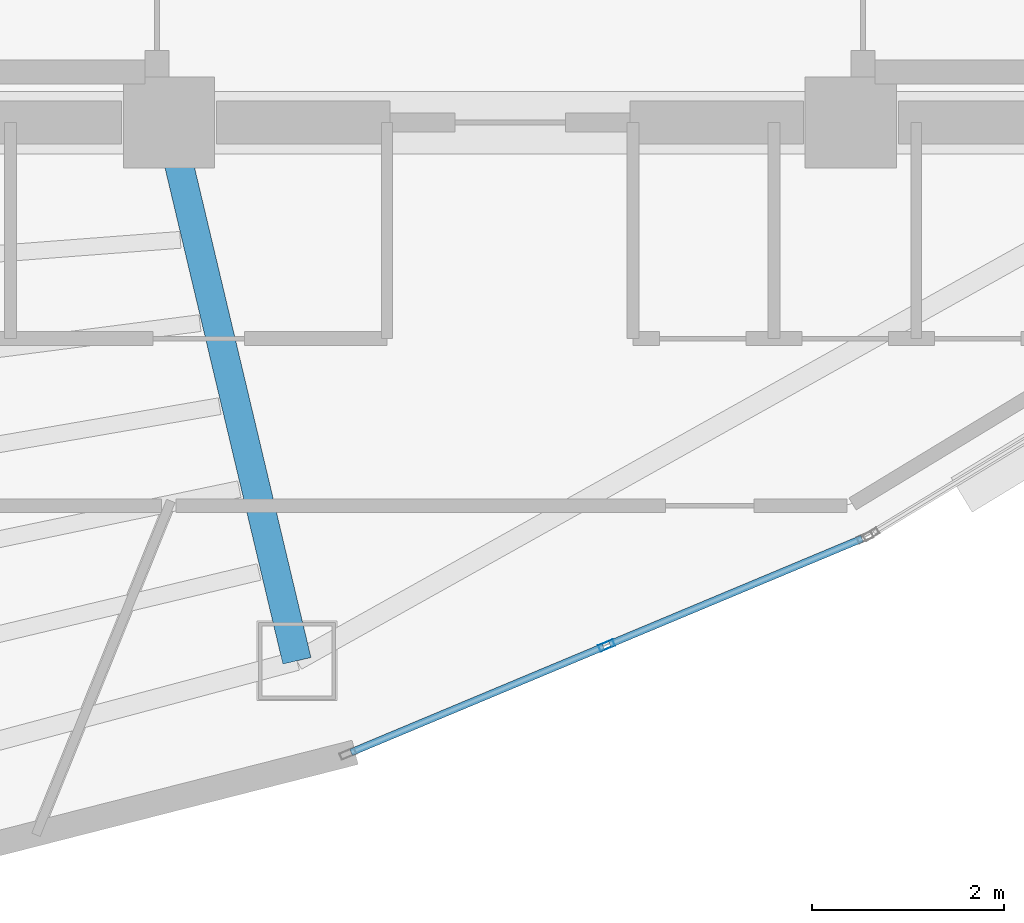
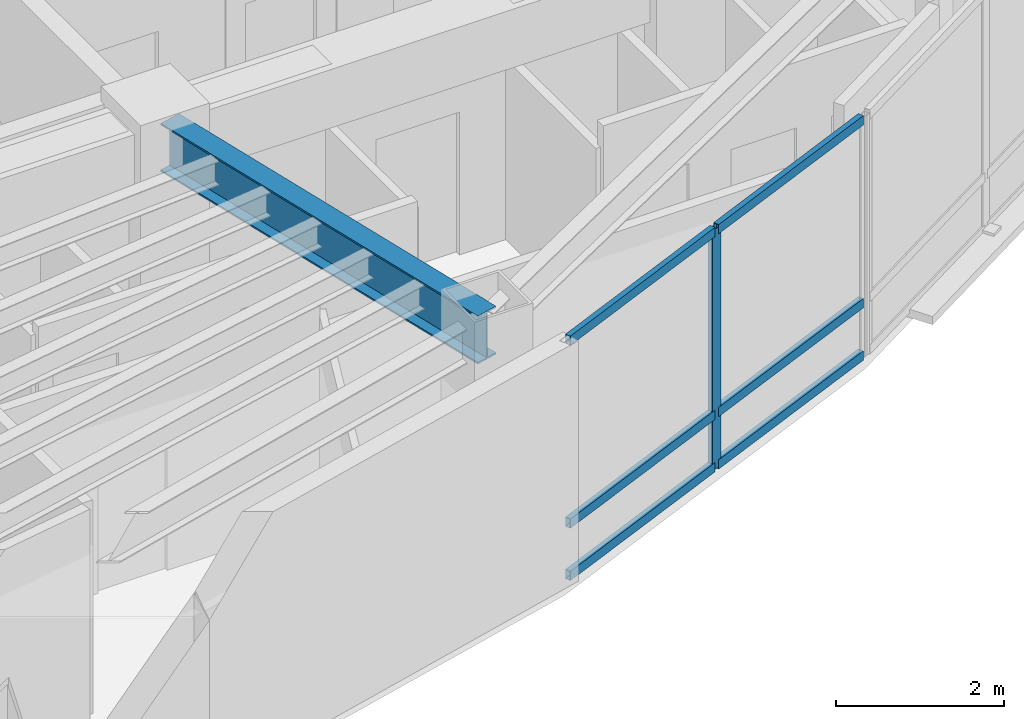
# One storey, part 3 of 15: 7 members, 1 beam, 1 element without a shape of its own.
"""IFC4 building model written with IfcOpenShell, lengths in metres."""

from ifc_helpers import new_model, si_unit, direction, frame, origin, origin_2d, place, context, subcontext, project, spatial, hollow_rectangle, i_section, extrude, material, layer, layer_set, material_profile, profile_set, type_object, element, aggregate, save


model = new_model("IFC4")

# Units and contexts
model_context = context("Model", 3, precision=1e-05, world=origin(), true_north=direction((0.0, 1.0)))
body_context = subcontext(model_context, "Body", "Model", "MODEL_VIEW")
ifc_project = project(units=[si_unit("LENGTHUNIT", "METRE"), si_unit("AREAUNIT", "SQUARE_METRE"), si_unit("VOLUMEUNIT", "CUBIC_METRE"), si_unit("PLANEANGLEUNIT", "RADIAN"), si_unit("MASSUNIT", "GRAM", prefix="KILO")], contexts=[model_context])

# Site, building, storey
site_placement = place(None, origin())
site = spatial("IfcSite", under=ifc_project, at=site_placement, CompositionType="ELEMENT")
building_placement = place(site_placement, origin())
building = spatial("IfcBuilding", under=site, at=building_placement, Name="Menara Vayukalpa", CompositionType="ELEMENT")
storey_placement = place(building_placement, frame((0.0, 0.0, 265.739990234375)))
storey = spatial("IfcBuildingStorey", under=building, at=storey_placement, Name="L67", CompositionType="ELEMENT", Elevation=265.739990234375)

# Beam
ifc_material_1 = material(Name="Steel S355", Category="steel")
ifc_material_profile_1 = material_profile(ifc_material_1, i_section(OverallWidth=0.300048828125, OverallDepth=0.699951171875, WebThickness=0.012939453125, FlangeThickness=0.02392578125, at=origin_2d()), Name="WF 700x300x13x24")
ifc_profile_set_1 = profile_set([ifc_material_profile_1], Name="Steel S355")
beam_type = type_object("IfcBeamType", Name="BM-PG5", PredefinedType="BEAM", material=ifc_profile_set_1)
beam_placement = place(storey_placement, frame((22.10791015625, 16.956787109375, 3.14990234375), z_axis=(0.231167310854, -0.972914011818, 0.0), x_axis=(0.972914011818, 0.231167310854, 0.0)))
element("IfcBeam", 1, at=beam_placement, inside=storey, type_object=beam_type, Name="L67 Primary Radial Girder RG08", PredefinedType="BEAM", context=body_context, shape_type="SweptSolid", body=[
    extrude(i_section(OverallWidth=0.300048828125, OverallDepth=0.699951171875, WebThickness=0.012939453125, FlangeThickness=0.02392578125, at=origin_2d()), origin(), (0.0, 0.0, 1.0), 5.5107421875),
])

# Curtain wall, members
ifc_material_2 = material(Name="Anodised Terracotta Aluminium Alloy 6063-T6", Category="masonry")
ifc_layer = layer(ifc_material_2, 0.1650390625)
ifc_layer_set = layer_set([ifc_layer], Name="Anodised Terracotta Aluminium Alloy 6063-T6")
curtain_wall_type = type_object("IfcCurtainWallType", Name="CW-CW6", PredefinedType="USERDEFINED", material=ifc_layer_set)
curtain_wall_placement = place(storey_placement, origin())
curtain_wall = element("IfcCurtainWall", 2, at=curtain_wall_placement, inside=storey, type_object=curtain_wall_type, Name="L67 Observation and Executive Curtain Wall CW6 16", ObjectType="UNITISED", PredefinedType="USERDEFINED")
ifc_material_3 = material(Name="Anodised Terracotta Aluminium Alloy 6063-T6", Category="masonry")
ifc_material_profile_2 = material_profile(ifc_material_3, hollow_rectangle(XDim=0.070068359375, YDim=0.1650390625, WallThickness=0.00390625, at=origin_2d()), Name="ALU 70x165x4")
ifc_profile_set_2 = profile_set([ifc_material_profile_2], Name="Anodised Terracotta Aluminium Alloy 6063-T6")
member_type_1 = type_object("IfcMemberType", Name="CWM-CW6", PredefinedType="MULLION", material=ifc_profile_set_2)
member_1_placement = place(storey_placement, frame((26.60595703125, 11.7548828125, 0.0), z_axis=(0.0, 0.0, 1.0), x_axis=(-0.385899911703, 0.922540653927, 0.0)))
member_1 = element("IfcMember", 3, at=member_1_placement, type_object=member_type_1, Name="CW6 mullion 2", PredefinedType="MULLION", context=body_context, shape_type="SweptSolid", body=[
    extrude(hollow_rectangle(XDim=0.070068359375, YDim=0.1650390625, WallThickness=0.00390625, at=origin_2d()), origin(), (0.0, 0.0, 1.0), 3.5),
])
ifc_material_4 = material(Name="Anodised Terracotta Aluminium Alloy 6063-T6", Category="masonry")
ifc_material_profile_3 = material_profile(ifc_material_4, hollow_rectangle(XDim=0.074951171875, YDim=0.135009765625, WallThickness=0.00390625, at=origin_2d()), Name="ALU 75x135x4")
ifc_profile_set_3 = profile_set([ifc_material_profile_3], Name="Anodised Terracotta Aluminium Alloy 6063-T6")
member_type_2 = type_object("IfcMemberType", Name="CWT-CW6", PredefinedType="USERDEFINED", material=ifc_profile_set_3)
member_2_placement = place(storey_placement, frame((23.945556640625, 10.64208984375, 0.03759765625), z_axis=(0.922541050276, 0.38589896418, 0.0), x_axis=(-0.38589896418, 0.922541050276, 0.0)))
member_2 = element("IfcMember", 4, at=member_2_placement, type_object=member_type_2, Name="CW6 transom 1.1", ObjectType="TRANSOM", PredefinedType="USERDEFINED", context=body_context, shape_type="SweptSolid", body=[
    extrude(hollow_rectangle(XDim=0.074951171875, YDim=0.135009765625, WallThickness=0.00390625, at=origin_2d()), origin(), (0.0, 0.0, 1.0), 2.848876953125),
])
member_3_placement = place(storey_placement, frame((23.945556640625, 10.64208984375, 0.800048828125), z_axis=(0.922541050276, 0.38589896418, 0.0), x_axis=(-0.38589896418, 0.922541050276, 0.0)))
member_3 = element("IfcMember", 5, at=member_3_placement, type_object=member_type_2, Name="CW6 transom 1.2", ObjectType="TRANSOM", PredefinedType="USERDEFINED", context=body_context, shape_type="SweptSolid", body=[
    extrude(hollow_rectangle(XDim=0.074951171875, YDim=0.135009765625, WallThickness=0.00390625, at=origin_2d()), origin(), (0.0, 0.0, 1.0), 2.848876953125),
])
member_4_placement = place(storey_placement, frame((23.945556640625, 10.64208984375, 3.46240234375), z_axis=(0.922541050276, 0.38589896418, 0.0), x_axis=(-0.38589896418, 0.922541050276, 0.0)))
member_4 = element("IfcMember", 6, at=member_4_placement, type_object=member_type_2, Name="CW6 transom 1.3", ObjectType="TRANSOM", PredefinedType="USERDEFINED", context=body_context, shape_type="SweptSolid", body=[
    extrude(hollow_rectangle(XDim=0.074951171875, YDim=0.135009765625, WallThickness=0.00390625, at=origin_2d()), origin(), (0.0, 0.0, 1.0), 2.848876953125),
])
member_5_placement = place(storey_placement, frame((26.638427734375, 11.768310546875, 0.03759765625), z_axis=(0.922528286758, 0.385929475592, 0.0), x_axis=(-0.385929475592, 0.922528286758, 0.0)))
member_5 = element("IfcMember", 7, at=member_5_placement, type_object=member_type_2, Name="CW6 transom 2.1", ObjectType="TRANSOM", PredefinedType="USERDEFINED", context=body_context, shape_type="SweptSolid", body=[
    extrude(hollow_rectangle(XDim=0.074951171875, YDim=0.135009765625, WallThickness=0.00390625, at=origin_2d()), origin(), (0.0, 0.0, 1.0), 2.8486328125),
])
member_6_placement = place(storey_placement, frame((26.638427734375, 11.768310546875, 0.800048828125), z_axis=(0.922528286758, 0.385929475592, 0.0), x_axis=(-0.385929475592, 0.922528286758, 0.0)))
member_6 = element("IfcMember", 8, at=member_6_placement, type_object=member_type_2, Name="CW6 transom 2.2", ObjectType="TRANSOM", PredefinedType="USERDEFINED", context=body_context, shape_type="SweptSolid", body=[
    extrude(hollow_rectangle(XDim=0.074951171875, YDim=0.135009765625, WallThickness=0.00390625, at=origin_2d()), origin(), (0.0, 0.0, 1.0), 2.8486328125),
])
member_7_placement = place(storey_placement, frame((26.638427734375, 11.768310546875, 3.46240234375), z_axis=(0.922528286758, 0.385929475592, 0.0), x_axis=(-0.385929475592, 0.922528286758, 0.0)))
member_7 = element("IfcMember", 9, at=member_7_placement, type_object=member_type_2, Name="CW6 transom 2.3", ObjectType="TRANSOM", PredefinedType="USERDEFINED", context=body_context, shape_type="SweptSolid", body=[
    extrude(hollow_rectangle(XDim=0.074951171875, YDim=0.135009765625, WallThickness=0.00390625, at=origin_2d()), origin(), (0.0, 0.0, 1.0), 2.8486328125),
])
aggregate(curtain_wall, [member_1, member_2, member_3, member_4, member_5, member_6, member_7])

save(model, "model.ifc")
